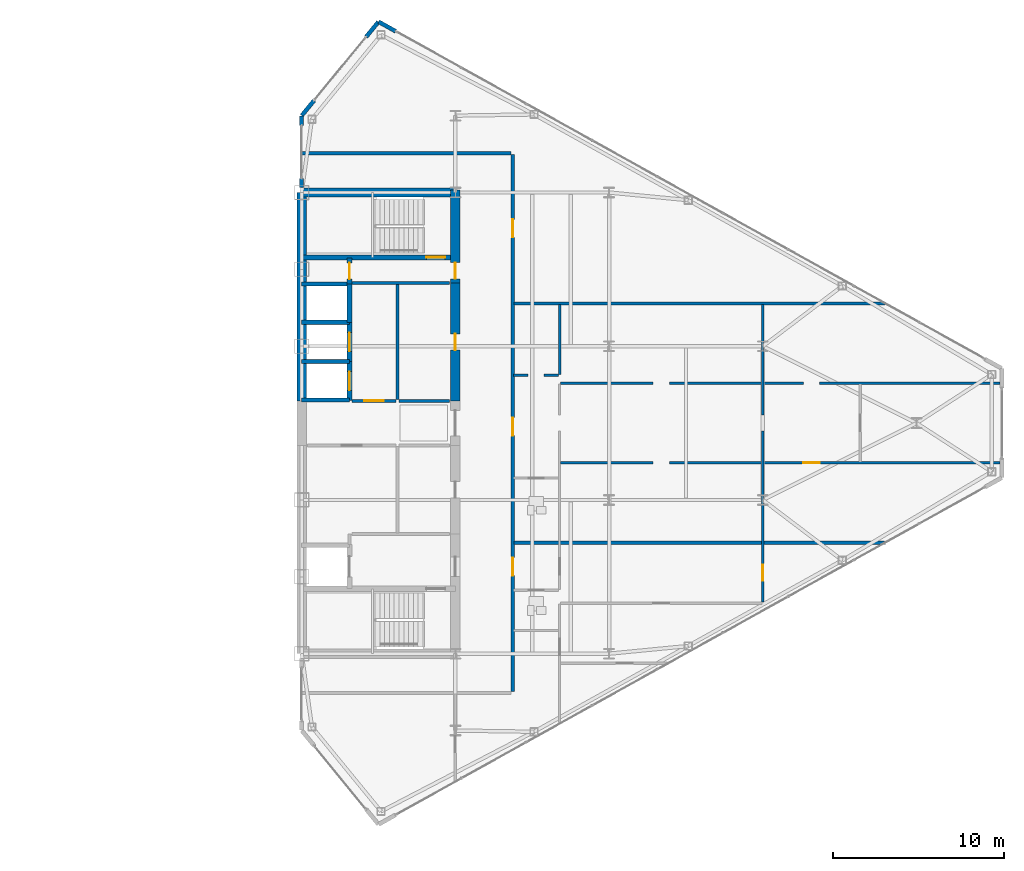
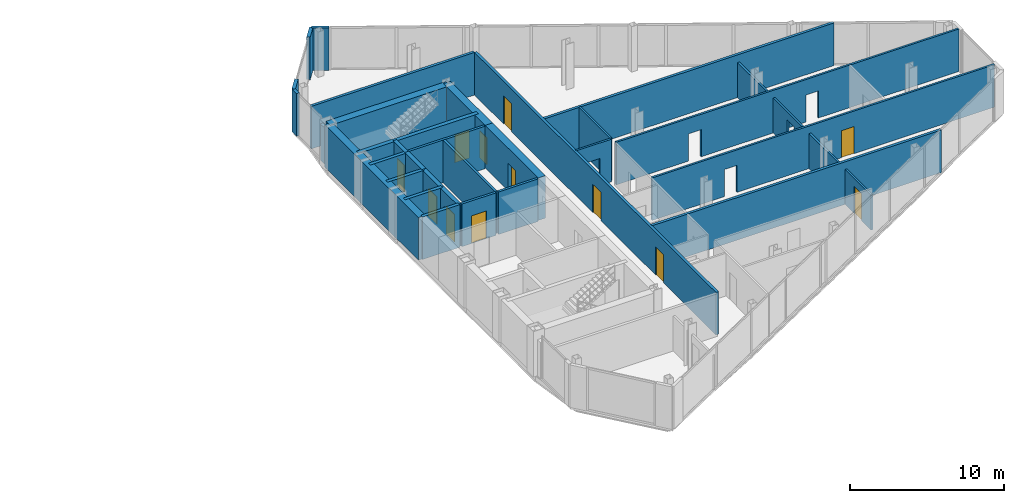
# One storey, part 22 of 26: 31 walls, 12 doors, 17 openings.
"""IFC4 building model written with IfcOpenShell, lengths in metres."""

from ifc_helpers import new_model, si_unit, direction, frame, frame_2d, origin, place, context, subcontext, project, spatial, rectangle, extrude, source, transform, mapped, material, layer, layer_set, type_object, type_shapes, element, fill, save


model = new_model("IFC4")

# Units and contexts
model_context = context("Model", 3, precision=1e-05, world=origin(), true_north=direction((0.0, 1.0)))
body_context = subcontext(model_context, "Body", "Model", "MODEL_VIEW")
ifc_project = project(units=[si_unit("LENGTHUNIT", "METRE"), si_unit("AREAUNIT", "SQUARE_METRE"), si_unit("VOLUMEUNIT", "CUBIC_METRE"), si_unit("PLANEANGLEUNIT", "RADIAN"), si_unit("MASSUNIT", "GRAM", prefix="KILO")], contexts=[model_context])

# Site, building, storey
site_placement = place(None, origin())
site = spatial("IfcSite", under=ifc_project, at=site_placement, CompositionType="ELEMENT")
building_placement = place(site_placement, origin())
building = spatial("IfcBuilding", under=site, at=building_placement, Name="Seokmaru Belvedere", CompositionType="ELEMENT")
storey_placement = place(building_placement, frame((0.0, 0.0, 174.300048828125)))
storey = spatial("IfcBuildingStorey", under=building, at=storey_placement, Name="L46", CompositionType="ELEMENT", Elevation=174.300048828125)

# Wall, openings, door
ifc_material_1 = material(Name="Fire-Rated Gypsum Shaftwall")
ifc_layer_1 = layer(ifc_material_1, 0.14990234375)
ifc_layer_set_1 = layer_set([ifc_layer_1], Name="Fire-Rated Gypsum Shaftwall")
wall_type_1 = type_object("IfcWallType", Name="Apartment Fire-Acoustic Room Partition 150", PredefinedType="PARTITIONING", material=ifc_layer_set_1)
wall_1_placement = place(storey_placement, frame((42.64990234375, -2.330078125, 0.0), z_axis=(0.0, 0.0, 1.0), x_axis=(1.0, 0.0, 0.0)))
wall_1 = element("IfcWall", 1, at=wall_1_placement, inside=storey, type_object=wall_type_1, Name="L46 Interior Partition 012", PredefinedType="PARTITIONING", context=body_context, shape_type="SweptSolid", body=[
    extrude(rectangle(XDim=25.72509765625, YDim=0.14990234375, at=frame_2d((12.862548828125, 0.0))), origin(), (0.0, 0.0, 1.0), 3.3798828125),
])
opening_1_placement = place(wall_1_placement, frame((5.425048828125, 0.0, 0.0)))
element("IfcOpeningElement", 2, at=opening_1_placement, cuts=wall_1, Name="L46 Cased Opening 027", PredefinedType="OPENING", context=body_context, shape_type="SweptSolid", body=[
    extrude(rectangle(XDim=0.949951171875, YDim=2.14990234375, at=frame_2d((0.47509765625, 1.074951171875))), frame((0.0, 0.0849609375, 0.0), z_axis=(0.0, -1.0, 0.0), x_axis=(1.0, 0.0, 0.0)), (0.0, 0.0, 1.0), 0.169921875),
])
opening_2_placement = place(wall_1_placement, frame((14.22509765625, 0.0, 0.0)))
opening_2 = element("IfcOpeningElement", 3, at=opening_2_placement, cuts=wall_1, Name="Opening D05", PredefinedType="OPENING", context=body_context, shape_type="SweptSolid", body=[
    extrude(rectangle(XDim=0.949951171875, YDim=2.14990234375, at=frame_2d((0.47509765625, 1.074951171875))), frame((0.0, 0.0849609375, 0.0), z_axis=(0.0, -1.0, 0.0), x_axis=(1.0, 0.0, 0.0)), (0.0, 0.0, 1.0), 0.169921875),
])
ifc_material_2 = material(Name="Engineered White Oak Timber", Category="wood")
door_type_1 = type_object("IfcDoorType", Name="Apartment Interior Fire-Rated Oak Door 950x2150", OperationType="NOTDEFINED", PredefinedType="DOOR", material=ifc_material_2)
shared_shape_1 = source(origin(), body_context, "Body", "SweptSolid", [
    extrude(rectangle(XDim=0.949951171875, YDim=2.14990234375, at=frame_2d((0.47509765625, 1.074951171875))), frame((0.0, 0.02490234375, 0.0), z_axis=(0.0, -1.0, 0.0), x_axis=(1.0, 0.0, 0.0)), (0.0, 0.0, 1.0), 0.050048828125),
])
type_shapes(door_type_1, [shared_shape_1])
door_1_placement = place(opening_2_placement, origin())
door_1 = element("IfcDoor", 4, at=door_1_placement, inside=storey, type_object=door_type_1, Name="L46 Interior Door 029", OperationType="SINGLE_SWING_RIGHT", OverallHeight=2.14990234375, OverallWidth=0.949951171875, PredefinedType="DOOR", context=body_context, shape_type="MappedRepresentation", body=[
    mapped(shared_shape_1, transform((0.0, 0.0, 0.0), scale=1.0)),
])
fill(opening_2, door_1)

# Wall, openings
wall_2_placement = place(storey_placement, frame((42.64990234375, 2.330078125, 0.0), z_axis=(0.0, 0.0, 1.0), x_axis=(1.0, 0.0, 0.0)))
wall_2 = element("IfcWall", 5, at=wall_2_placement, inside=storey, type_object=wall_type_1, Name="L46 Interior Partition 015", PredefinedType="PARTITIONING", context=body_context, shape_type="SweptSolid", body=[
    extrude(rectangle(XDim=25.72509765625, YDim=0.14990234375, at=frame_2d((12.862548828125, 0.0))), origin(), (0.0, 0.0, 1.0), 3.3798828125),
])
opening_3_placement = place(wall_2_placement, frame((5.425048828125, 0.0, 0.0)))
element("IfcOpeningElement", 6, at=opening_3_placement, cuts=wall_2, Name="L46 Cased Opening 028", PredefinedType="OPENING", context=body_context, shape_type="SweptSolid", body=[
    extrude(rectangle(XDim=0.949951171875, YDim=2.14990234375, at=frame_2d((0.47509765625, 1.074951171875))), frame((0.0, 0.0849609375, 0.0), z_axis=(0.0, -1.0, 0.0), x_axis=(1.0, 0.0, 0.0)), (0.0, 0.0, 1.0), 0.169921875),
])
opening_4_placement = place(wall_2_placement, frame((14.22509765625, 0.0, 0.0)))
element("IfcOpeningElement", 7, at=opening_4_placement, cuts=wall_2, Name="L46 Cased Opening 031", PredefinedType="OPENING", context=body_context, shape_type="SweptSolid", body=[
    extrude(rectangle(XDim=0.949951171875, YDim=2.14990234375, at=frame_2d((0.47509765625, 1.074951171875))), frame((0.0, 0.0849609375, 0.0), z_axis=(0.0, -1.0, 0.0), x_axis=(1.0, 0.0, 0.0)), (0.0, 0.0, 1.0), 0.169921875),
])

# Wall, opening
wall_3_placement = place(storey_placement, frame((39.89990234375, 2.800048828125, 0.0), z_axis=(0.0, 0.0, 1.0), x_axis=(1.0, 0.0, 0.0)))
wall_3 = element("IfcWall", 8, at=wall_3_placement, inside=storey, type_object=wall_type_1, Name="L46 Interior Partition 016", PredefinedType="PARTITIONING", context=body_context, shape_type="SweptSolid", body=[
    extrude(rectangle(XDim=2.650146484375, YDim=0.14990234375, at=frame_2d((1.3251953125, 0.0))), origin(), (0.0, 0.0, 1.0), 3.3798828125),
])
opening_5_placement = place(wall_3_placement, frame((0.85009765625, 0.0, 0.0)))
element("IfcOpeningElement", 9, at=opening_5_placement, cuts=wall_3, Name="L46 Cased Opening 024", PredefinedType="OPENING", context=body_context, shape_type="SweptSolid", body=[
    extrude(rectangle(XDim=0.949951171875, YDim=2.14990234375, at=frame_2d((0.47509765625, 1.074951171875))), frame((0.0, 0.0849609375, 0.0), z_axis=(0.0, -1.0, 0.0), x_axis=(1.0, 0.0, 0.0)), (0.0, 0.0, 1.0), 0.169921875),
])

# Wall
wall_4_placement = place(storey_placement, frame((42.60009765625, 2.85205078125, 0.0), z_axis=(0.0, 0.0, 1.0), x_axis=(0.0, 1.0, 0.0)))
element("IfcWall", 10, at=wall_4_placement, inside=storey, type_object=wall_type_1, Name="L46 Interior Partition 030", PredefinedType="PARTITIONING", context=body_context, shape_type="SweptSolid", body=[
    extrude(rectangle(XDim=4.097900390625, YDim=0.14990234375, at=frame_2d((2.048828125, 0.0))), origin(), (0.0, 0.0, 1.0), 3.3798828125),
])

# Wall, openings, door
wall_5_placement = place(storey_placement, frame((54.5, -10.485107421875, 0.0), z_axis=(0.0, 0.0, 1.0), x_axis=(0.0, 1.0, 0.0)))
wall_5 = element("IfcWall", 11, at=wall_5_placement, inside=storey, type_object=wall_type_1, Name="L46 Interior Partition 031", PredefinedType="PARTITIONING", context=body_context, shape_type="SweptSolid", body=[
    extrude(rectangle(XDim=17.43505859375, YDim=0.14990234375, at=frame_2d((8.717529296875, 0.0))), origin(), (0.0, 0.0, 1.0), 2.780029296875),
])
opening_6_placement = place(wall_5_placement, frame((1.242431640625, 0.0, 0.0)))
opening_6 = element("IfcOpeningElement", 12, at=opening_6_placement, cuts=wall_5, Name="Opening D05", PredefinedType="OPENING", context=body_context, shape_type="SweptSolid", body=[
    extrude(rectangle(XDim=0.949951171875, YDim=2.14990234375, at=frame_2d((0.47509765625, 1.074951171875))), frame((0.0, 0.0849609375, 0.0), z_axis=(0.0, -1.0, 0.0), x_axis=(1.0, 0.0, 0.0)), (0.0, 0.0, 1.0), 0.169921875),
])
opening_7_placement = place(wall_5_placement, frame((10.010009765625, 0.0, 0.0)))
element("IfcOpeningElement", 13, at=opening_7_placement, cuts=wall_5, Name="L46 Cased Opening 026", PredefinedType="OPENING", context=body_context, shape_type="SweptSolid", body=[
    extrude(rectangle(XDim=0.949951171875, YDim=2.14990234375, at=frame_2d((0.47509765625, 1.074951171875))), frame((0.0, 0.0849609375, 0.0), z_axis=(0.0, -1.0, 0.0), x_axis=(1.0, 0.0, 0.0)), (0.0, 0.0, 1.0), 0.169921875),
])
door_2_placement = place(opening_6_placement, origin())
door_2 = element("IfcDoor", 14, at=door_2_placement, inside=storey, type_object=door_type_1, Name="L46 Interior Door 017", OperationType="SINGLE_SWING_LEFT", OverallHeight=2.14990234375, OverallWidth=0.949951171875, PredefinedType="DOOR", context=body_context, shape_type="MappedRepresentation", body=[
    mapped(shared_shape_1, transform((0.0, 0.0, 0.0), scale=1.0)),
])
fill(opening_6, door_2)

# Walls
ifc_layer_2 = layer(ifc_material_1, 0.179931640625)
ifc_layer_set_2 = layer_set([ifc_layer_2], Name="Fire-Rated Gypsum Shaftwall")
wall_type_2 = type_object("IfcWallType", Name="Core Service Fire Partition 180", PredefinedType="PARTITIONING", material=ifc_layer_set_2)
wall_6_placement = place(storey_placement, frame((30.449951171875, 8.199951171875, 0.0), z_axis=(0.0, 0.0, 1.0), x_axis=(1.0, 0.0, 0.0)))
element("IfcWall", 15, at=wall_6_placement, inside=storey, type_object=wall_type_2, Name="L46 East Smokeproof Vestibule Partition", PredefinedType="PARTITIONING", context=body_context, shape_type="SweptSolid", body=[
    extrude(rectangle(XDim=5.699951171875, YDim=0.179931640625, at=frame_2d((2.85009765625, 0.0))), origin(), (0.0, 0.0, 1.0), 3.3798828125),
])
wall_7_placement = place(storey_placement, frame((33.10009765625, 1.3798828125, 0.0), z_axis=(0.0, 0.0, 1.0), x_axis=(0.0, 1.0, 0.0)))
element("IfcWall", 16, at=wall_7_placement, inside=storey, type_object=wall_type_2, Name="L46 East North Core Service Back Wall", PredefinedType="PARTITIONING", context=body_context, shape_type="SweptSolid", body=[
    extrude(rectangle(XDim=6.740234375, YDim=0.179931640625, at=frame_2d((3.3701171875, 0.0))), origin(), (0.0, 0.0, 1.0), 3.3798828125),
])

# Wall, opening, door
wall_8_placement = place(storey_placement, frame((30.449951171875, 1.300048828125, 0.0), z_axis=(0.0, 0.0, 1.0), x_axis=(1.0, 0.0, 0.0)))
wall_8 = element("IfcWall", 17, at=wall_8_placement, inside=storey, type_object=wall_type_2, Name="L46 East North Lift Lobby Foyer Wall", PredefinedType="PARTITIONING", context=body_context, shape_type="SweptSolid", body=[
    extrude(rectangle(XDim=2.570068359375, YDim=0.179931640625, at=frame_2d((1.28515625, 0.0))), origin(), (0.0, 0.0, 1.0), 3.3798828125),
])
opening_8_placement = place(wall_8_placement, frame((0.7099609375, 0.0, 0.0)))
opening_8 = element("IfcOpeningElement", 18, at=opening_8_placement, cuts=wall_8, Name="Opening D02", PredefinedType="OPENING", context=body_context, shape_type="SweptSolid", body=[
    extrude(rectangle(XDim=1.14990234375, YDim=2.199951171875, at=frame_2d((0.574951171875, 1.10009765625))), frame((0.0, 0.10009765625, 0.0), z_axis=(0.0, -1.0, 0.0), x_axis=(1.0, 0.0, 0.0)), (0.0, 0.0, 1.0), 0.199951171875),
])
ifc_material_3 = material(Name="Fire-Rated Steel Leaf", Category="steel")
door_type_2 = type_object("IfcDoorType", Name="Lobby and Vestibule Fire Door 1150x2200", OperationType="NOTDEFINED", PredefinedType="DOOR", material=ifc_material_3)
shared_shape_2 = source(origin(), body_context, "Body", "SweptSolid", [
    extrude(rectangle(XDim=1.14990234375, YDim=2.199951171875, at=frame_2d((0.574951171875, 1.10009765625))), frame((0.0, 0.02490234375, 0.0), z_axis=(0.0, -1.0, 0.0), x_axis=(1.0, 0.0, 0.0)), (0.0, 0.0, 1.0), 0.050048828125),
])
type_shapes(door_type_2, [shared_shape_2])
door_3_placement = place(opening_8_placement, origin())
door_3 = element("IfcDoor", 19, at=door_3_placement, inside=storey, type_object=door_type_2, Name="L46 East North Lift Lobby Door", OperationType="SINGLE_SWING_LEFT", OverallHeight=2.199951171875, OverallWidth=1.14990234375, PredefinedType="DOOR", context=body_context, shape_type="MappedRepresentation", body=[
    mapped(shared_shape_2, transform((0.0, 0.0, 0.0), scale=1.0)),
])
fill(opening_8, door_3)

# Walls
wall_9_placement = place(storey_placement, frame((33.199951171875, 1.300048828125, 0.0), z_axis=(0.0, 0.0, 1.0), x_axis=(1.0, 0.0, 0.0)))
element("IfcWall", 20, at=wall_9_placement, inside=storey, type_object=wall_type_2, Name="L46 East Foyer Side Wall N", PredefinedType="PARTITIONING", context=body_context, shape_type="SweptSolid", body=[
    extrude(rectangle(XDim=2.949951171875, YDim=0.179931640625, at=frame_2d((1.47509765625, 0.0))), origin(), (0.0, 0.0, 1.0), 3.3798828125),
])
ifc_material_4 = material(Name="Concrete C50 (50 MPa)", Category="concrete")
ifc_layer_3 = layer(ifc_material_4, 0.25)
ifc_layer_set_3 = layer_set([ifc_layer_3], Name="Concrete C50 (50 MPa)")
wall_type_3 = type_object("IfcWallType", Name="Hoistway Transverse Concrete Divider Wall 250", PredefinedType="SHEAR", material=ifc_layer_set_3)
for number, where, z_axis, x_axis, name in (
    (21, (27.5, 1.35009765625, 0.0), (0.0, 0.0, 1.0), (1.0, 0.0, 0.0), "L46 East Hoistway Divider Core Wall 2"),
    (22, (27.5, 3.60009765625, 0.0), (0.0, 0.0, 1.0), (1.0, 0.0, 0.0), "L46 East Hoistway Divider Core Wall 3"),
    (23, (27.5, 5.89990234375, 0.0), (0.0, 0.0, 1.0), (1.0, 0.0, 0.0), "L46 East Hoistway Divider Core Wall 4"),
    (24, (27.5, 8.14990234375, 0.0), (0.0, 0.0, 1.0), (1.0, 0.0, 0.0), "L46 East Hoistway Divider Core Wall 5"),
):
    element("IfcWall", number, at=place(storey_placement, frame(where, z_axis=z_axis, x_axis=x_axis)), inside=storey, type_object=wall_type_3, Name=name, PredefinedType="SHEAR", context=body_context, shape_type="SweptSolid", body=[
        extrude(rectangle(XDim=2.800048828125, YDim=0.25, at=frame_2d((1.39990234375, 0.0))), origin(), (0.0, 0.0, 1.0), 3.3798828125),
    ])
ifc_layer_4 = layer(ifc_material_1, 0.199951171875)
ifc_layer_set_4 = layer_set([ifc_layer_4], Name="Fire-Rated Gypsum Shaftwall")
wall_type_4 = type_object("IfcWallType", Name="Inter-Tenancy Fire Compartment Partition 200", PredefinedType="PARTITIONING", material=ifc_layer_set_4)
for number, where, z_axis, x_axis, name in (
    (25, (39.929931640625, -7.0, 0.0), (0.0, 0.0, 1.0), (1.0, 0.0, 0.0), "L46 Interior Partition 008"),
    (26, (39.929931640625, 7.0, 0.0), (0.0, 0.0, 1.0), (1.0, 0.0, 0.0), "L46 Interior Partition 018"),
):
    element("IfcWall", number, at=place(storey_placement, frame(where, z_axis=z_axis, x_axis=x_axis)), inside=storey, type_object=wall_type_4, Name=name, PredefinedType="PARTITIONING", context=body_context, shape_type="SweptSolid", body=[
        extrude(rectangle(XDim=21.748046875, YDim=0.199951171875, at=frame_2d((10.8740234375, 0.0))), origin(), (0.0, 0.0, 1.0), 3.3798828125),
    ])
wall_10_placement = place(storey_placement, frame((27.5, 15.800048828125, 0.0), z_axis=(0.0, 0.0, 1.0), x_axis=(1.0, 0.0, 0.0)))
element("IfcWall", 27, at=wall_10_placement, inside=storey, type_object=wall_type_4, Name="L46 Interior Partition 020", PredefinedType="PARTITIONING", context=body_context, shape_type="SweptSolid", body=[
    extrude(rectangle(XDim=12.264892578125, YDim=0.199951171875, at=frame_2d((6.13232421875, 0.0))), origin(), (0.0, 0.0, 1.0), 3.3798828125),
])

# Wall, openings, doors
wall_11_placement = place(storey_placement, frame((39.85009765625, -15.715087890625, 0.0), z_axis=(0.0, 0.0, 1.0), x_axis=(0.0, 1.0, 0.0)))
wall_11 = element("IfcWall", 28, at=wall_11_placement, inside=storey, type_object=wall_type_4, Name="L46 Interior Partition 027", PredefinedType="PARTITIONING", context=body_context, shape_type="SweptSolid", body=[
    extrude(rectangle(XDim=31.43017578125, YDim=0.199951171875, at=frame_2d((15.715087890625, 0.0))), origin(), (0.0, 0.0, 1.0), 3.3798828125),
])
opening_9_placement = place(wall_11_placement, frame((6.79248046875, 0.0, 0.0)))
opening_9 = element("IfcOpeningElement", 29, at=opening_9_placement, cuts=wall_11, Name="Opening D03", PredefinedType="OPENING", context=body_context, shape_type="SweptSolid", body=[
    extrude(rectangle(XDim=1.050048828125, YDim=2.25, at=frame_2d((0.52490234375, 1.125))), frame((0.0, 0.10986328125, 0.0), z_axis=(0.0, -1.0, 0.0), x_axis=(1.0, 0.0, 0.0)), (0.0, 0.0, 1.0), 0.219970703125),
])
opening_10_placement = place(wall_11_placement, frame((14.97998046875, 0.0, 0.0)))
opening_10 = element("IfcOpeningElement", 30, at=opening_10_placement, cuts=wall_11, Name="Opening D03", PredefinedType="OPENING", context=body_context, shape_type="SweptSolid", body=[
    extrude(rectangle(XDim=1.050048828125, YDim=2.25, at=frame_2d((0.52490234375, 1.125))), frame((0.0, 0.10986328125, 0.0), z_axis=(0.0, -1.0, 0.0), x_axis=(1.0, 0.0, 0.0)), (0.0, 0.0, 1.0), 0.219970703125),
])
opening_11_placement = place(wall_11_placement, frame((26.590087890625, 0.0, 0.0)))
opening_11 = element("IfcOpeningElement", 31, at=opening_11_placement, cuts=wall_11, Name="Opening D03", PredefinedType="OPENING", context=body_context, shape_type="SweptSolid", body=[
    extrude(rectangle(XDim=1.050048828125, YDim=2.25, at=frame_2d((0.52490234375, 1.125))), frame((0.0, 0.10986328125, 0.0), z_axis=(0.0, -1.0, 0.0), x_axis=(1.0, 0.0, 0.0)), (0.0, 0.0, 1.0), 0.219970703125),
])
door_type_3 = type_object("IfcDoorType", Name="Apartment Entrance Fire Door 1050x2250", OperationType="NOTDEFINED", PredefinedType="DOOR", material=ifc_material_3)
shared_shape_3 = source(origin(), body_context, "Body", "SweptSolid", [
    extrude(rectangle(XDim=1.050048828125, YDim=2.25, at=frame_2d((0.52490234375, 1.125))), frame((0.0, 0.02490234375, 0.0), z_axis=(0.0, -1.0, 0.0), x_axis=(1.0, 0.0, 0.0)), (0.0, 0.0, 1.0), 0.050048828125),
])
type_shapes(door_type_3, [shared_shape_3])
door_4_placement = place(opening_9_placement, origin())
door_4 = element("IfcDoor", 32, at=door_4_placement, inside=storey, type_object=door_type_3, Name="L46 Interior Door 014", OperationType="SINGLE_SWING_LEFT", OverallHeight=2.25, OverallWidth=1.050048828125, PredefinedType="DOOR", context=body_context, shape_type="MappedRepresentation", body=[
    mapped(shared_shape_3, transform((0.0, 0.0, 0.0), scale=1.0)),
])
fill(opening_9, door_4)
door_5_placement = place(opening_10_placement, origin())
door_5 = element("IfcDoor", 33, at=door_5_placement, inside=storey, type_object=door_type_3, Name="L46 Interior Door 022", OperationType="SINGLE_SWING_RIGHT", OverallHeight=2.25, OverallWidth=1.050048828125, PredefinedType="DOOR", context=body_context, shape_type="MappedRepresentation", body=[
    mapped(shared_shape_3, transform((0.0, 0.0, 0.0), scale=1.0)),
])
fill(opening_10, door_5)
door_6_placement = place(opening_11_placement, origin())
door_6 = element("IfcDoor", 34, at=door_6_placement, inside=storey, type_object=door_type_3, Name="L46 Interior Door 032", OperationType="SINGLE_SWING_LEFT", OverallHeight=2.25, OverallWidth=1.050048828125, PredefinedType="DOOR", context=body_context, shape_type="MappedRepresentation", body=[
    mapped(shared_shape_3, transform((0.0, 0.0, 0.0), scale=1.0)),
])
fill(opening_11, door_6)

# Wall, opening, door
ifc_layer_5 = layer(ifc_material_4, 0.300048828125)
ifc_layer_set_5 = layer_set([ifc_layer_5], Name="Concrete C50 (50 MPa)")
wall_type_5 = type_object("IfcWallType", Name="Internal Core Stair and Hoistway Wall 300", PredefinedType="SHEAR", material=ifc_layer_set_5)
wall_12_placement = place(storey_placement, frame((27.5, 9.699951171875, 0.0), z_axis=(0.0, 0.0, 1.0), x_axis=(1.0, 0.0, 0.0)))
wall_12 = element("IfcWall", 35, at=wall_12_placement, inside=storey, type_object=wall_type_5, Name="L46 East Stair ST-2 Enclosure Wall", PredefinedType="SHEAR", context=body_context, shape_type="SweptSolid", body=[
    extrude(rectangle(XDim=9.0, YDim=0.300048828125, at=frame_2d((4.5, 0.0))), origin(), (0.0, 0.0, 1.0), 3.3798828125),
])
opening_12_placement = place(wall_12_placement, frame((7.300048828125, 0.0, 0.0)))
opening_12 = element("IfcOpeningElement", 36, at=opening_12_placement, cuts=wall_12, Name="Opening D01", PredefinedType="OPENING", context=body_context, shape_type="SweptSolid", body=[
    extrude(rectangle(XDim=1.10009765625, YDim=2.199951171875, at=frame_2d((0.550048828125, 1.10009765625))), frame((0.0, 0.16015625, 0.0), z_axis=(0.0, -1.0, 0.0), x_axis=(1.0, 0.0, 0.0)), (0.0, 0.0, 1.0), 0.320068359375),
])
door_type_4 = type_object("IfcDoorType", Name="Special Escape Stair Smokeproof Fire Door 1100x2200", OperationType="NOTDEFINED", PredefinedType="DOOR", material=ifc_material_3)
shared_shape_4 = source(origin(), body_context, "Body", "SweptSolid", [
    extrude(rectangle(XDim=1.10009765625, YDim=2.199951171875, at=frame_2d((0.550048828125, 1.10009765625))), frame((0.0, 0.02490234375, 0.0), z_axis=(0.0, -1.0, 0.0), x_axis=(1.0, 0.0, 0.0)), (0.0, 0.0, 1.0), 0.050048828125),
])
type_shapes(door_type_4, [shared_shape_4])
door_7_placement = place(opening_12_placement, origin())
door_7 = element("IfcDoor", 37, at=door_7_placement, inside=storey, type_object=door_type_4, Name="L46 East Special Escape Stair ST-2 Door", OperationType="SINGLE_SWING_LEFT", OverallHeight=2.199951171875, OverallWidth=1.10009765625, PredefinedType="DOOR", context=body_context, shape_type="MappedRepresentation", body=[
    mapped(shared_shape_4, transform((0.0, 0.0, 0.0), scale=1.0)),
])
fill(opening_12, door_7)

wall_13_placement = place(storey_placement, frame((30.300048828125, 1.320068359375, 0.0), z_axis=(0.0, 0.0, 1.0), x_axis=(0.0, 1.0, 0.0)))
wall_13 = element("IfcWall", 38, at=wall_13_placement, inside=storey, type_object=wall_type_5, Name="L46 East North Hoistway Wall PH1", PredefinedType="SHEAR", context=body_context, shape_type="SweptSolid", body=[
    extrude(rectangle(XDim=2.280029296875, YDim=0.300048828125, at=frame_2d((1.14013671875, 0.0))), origin(), (0.0, 0.0, 1.0), 3.3798828125),
])
opening_13_placement = place(wall_13_placement, frame((0.590087890625, 0.0, 0.0)))
opening_13 = element("IfcOpeningElement", 39, at=opening_13_placement, cuts=wall_13, Name="Opening LD1", PredefinedType="OPENING", context=body_context, shape_type="SweptSolid", body=[
    extrude(rectangle(XDim=1.10009765625, YDim=2.199951171875, at=frame_2d((0.550048828125, 1.10009765625))), frame((0.0, 0.16015625, 0.0), z_axis=(0.0, -1.0, 0.0), x_axis=(1.0, 0.0, 0.0)), (0.0, 0.0, 1.0), 0.320068359375),
])
ifc_material_5 = material(Name="Stainless Steel 316", Category="steel")
door_type_5 = type_object("IfcDoorType", Name="Passenger Lift Sliding Landing Door 1100x2200", OperationType="DOUBLE_DOOR_SLIDING", PredefinedType="DOOR", material=ifc_material_5)
shared_shape_5 = source(origin(), body_context, "Body", "SweptSolid", [
    extrude(rectangle(XDim=1.10009765625, YDim=2.199951171875, at=frame_2d((0.550048828125, 1.10009765625))), frame((0.0, 0.02490234375, 0.0), z_axis=(0.0, -1.0, 0.0), x_axis=(1.0, 0.0, 0.0)), (0.0, 0.0, 1.0), 0.050048828125),
])
type_shapes(door_type_5, [shared_shape_5])
door_8_placement = place(opening_13_placement, origin())
door_8 = element("IfcDoor", 40, at=door_8_placement, inside=storey, type_object=door_type_5, Name="L46 East High-Rise Lift PH-1 Landing Door", OperationType="DOUBLE_DOOR_SLIDING", OverallHeight=2.199951171875, OverallWidth=1.10009765625, PredefinedType="DOOR", context=body_context, shape_type="MappedRepresentation", body=[
    mapped(shared_shape_5, transform((0.0, 0.0, 0.0), scale=1.0)),
])
fill(opening_13, door_8)

wall_14_placement = place(storey_placement, frame((30.300048828125, 3.60009765625, 0.0), z_axis=(0.0, 0.0, 1.0), x_axis=(0.0, 1.0, 0.0)))
wall_14 = element("IfcWall", 41, at=wall_14_placement, inside=storey, type_object=wall_type_5, Name="L46 East North Hoistway Wall PH2", PredefinedType="SHEAR", context=body_context, shape_type="SweptSolid", body=[
    extrude(rectangle(XDim=2.2998046875, YDim=0.300048828125, at=frame_2d((1.14990234375, 0.0))), origin(), (0.0, 0.0, 1.0), 3.3798828125),
])
opening_14_placement = place(wall_14_placement, frame((0.60009765625, 0.0, 0.0)))
opening_14 = element("IfcOpeningElement", 42, at=opening_14_placement, cuts=wall_14, Name="Opening LD1", PredefinedType="OPENING", context=body_context, shape_type="SweptSolid", body=[
    extrude(rectangle(XDim=1.10009765625, YDim=2.199951171875, at=frame_2d((0.550048828125, 1.10009765625))), frame((0.0, 0.16015625, 0.0), z_axis=(0.0, -1.0, 0.0), x_axis=(1.0, 0.0, 0.0)), (0.0, 0.0, 1.0), 0.320068359375),
])
door_9_placement = place(opening_14_placement, origin())
door_9 = element("IfcDoor", 43, at=door_9_placement, inside=storey, type_object=door_type_5, Name="L46 East High-Rise Lift PH-2 Landing Door", OperationType="DOUBLE_DOOR_SLIDING", OverallHeight=2.199951171875, OverallWidth=1.10009765625, PredefinedType="DOOR", context=body_context, shape_type="MappedRepresentation", body=[
    mapped(shared_shape_5, transform((0.0, 0.0, 0.0), scale=1.0)),
])
fill(opening_14, door_9)

# Wall
wall_15_placement = place(storey_placement, frame((30.300048828125, 5.89990234375, 0.0), z_axis=(0.0, 0.0, 1.0), x_axis=(0.0, 1.0, 0.0)))
element("IfcWall", 44, at=wall_15_placement, inside=storey, type_object=wall_type_5, Name="L46 East North Hoistway Wall OBS", PredefinedType="SHEAR", context=body_context, shape_type="SweptSolid", body=[
    extrude(rectangle(XDim=2.25, YDim=0.300048828125, at=frame_2d((1.125, 0.0))), origin(), (0.0, 0.0, 1.0), 3.3798828125),
])

# Wall, opening, door
wall_16_placement = place(storey_placement, frame((30.300048828125, 8.14990234375, 0.0), z_axis=(0.0, 0.0, 1.0), x_axis=(0.0, 1.0, 0.0)))
wall_16 = element("IfcWall", 45, at=wall_16_placement, inside=storey, type_object=wall_type_5, Name="L46 East Electrical Riser Front Wall", PredefinedType="SHEAR", context=body_context, shape_type="SweptSolid", body=[
    extrude(rectangle(XDim=1.530029296875, YDim=0.300048828125, at=frame_2d((0.76513671875, 0.0))), origin(), (0.0, 0.0, 1.0), 3.3798828125),
])
opening_15_placement = place(wall_16_placement, frame((0.284912109375, 0.0, 0.0)))
opening_15 = element("IfcOpeningElement", 46, at=opening_15_placement, cuts=wall_16, Name="Opening D04", PredefinedType="OPENING", context=body_context, shape_type="SweptSolid", body=[
    extrude(rectangle(XDim=0.949951171875, YDim=2.14990234375, at=frame_2d((0.47509765625, 1.074951171875))), frame((0.0, 0.16015625, 0.0), z_axis=(0.0, -1.0, 0.0), x_axis=(1.0, 0.0, 0.0)), (0.0, 0.0, 1.0), 0.320068359375),
])
door_type_6 = type_object("IfcDoorType", Name="Core Service Room Fire Door 950x2150", OperationType="NOTDEFINED", PredefinedType="DOOR", material=ifc_material_3)
shared_shape_6 = source(origin(), body_context, "Body", "SweptSolid", [
    extrude(rectangle(XDim=0.949951171875, YDim=2.14990234375, at=frame_2d((0.47509765625, 1.074951171875))), frame((0.0, 0.02490234375, 0.0), z_axis=(0.0, -1.0, 0.0), x_axis=(1.0, 0.0, 0.0)), (0.0, 0.0, 1.0), 0.050048828125),
])
type_shapes(door_type_6, [shared_shape_6])
door_10_placement = place(opening_15_placement, origin())
door_10 = element("IfcDoor", 47, at=door_10_placement, inside=storey, type_object=door_type_6, Name="L46 East Electrical Riser Access Door", OperationType="SINGLE_SWING_RIGHT", OverallHeight=2.14990234375, OverallWidth=0.949951171875, PredefinedType="DOOR", context=body_context, shape_type="MappedRepresentation", body=[
    mapped(shared_shape_6, transform((0.0, 0.0, 0.0), scale=1.0)),
])
fill(opening_15, door_10)

# Walls
ifc_layer_6 = layer(ifc_material_4, 0.550048828125)
ifc_layer_set_6 = layer_set([ifc_layer_6], Name="Concrete C50 (50 MPa)")
wall_type_6 = type_object("IfcWallType", Name="Mid-High Reinforced Concrete Core Wall 550", PredefinedType="SHEAR", material=ifc_layer_set_6)
wall_17_placement = place(storey_placement, frame((27.5, 1.300048828125, 0.0), z_axis=(0.0, 0.0, 1.0), x_axis=(0.0, 1.0, 0.0)))
element("IfcWall", 48, at=wall_17_placement, inside=storey, type_object=wall_type_6, Name="L46 East Portal Spine Core Wall North", PredefinedType="SHEAR", context=body_context, shape_type="SweptSolid", body=[
    extrude(rectangle(XDim=12.199951171875, YDim=0.550048828125, at=frame_2d((6.10009765625, 0.0))), origin(), (0.0, 0.0, 1.0), 3.3798828125),
])
wall_18_placement = place(storey_placement, frame((27.5, 13.5, 0.0), z_axis=(0.0, 0.0, 1.0), x_axis=(1.0, 0.0, 0.0)))
element("IfcWall", 49, at=wall_18_placement, inside=storey, type_object=wall_type_6, Name="L46 East North Core Wall", PredefinedType="SHEAR", context=body_context, shape_type="SweptSolid", body=[
    extrude(rectangle(XDim=9.0, YDim=0.550048828125, at=frame_2d((4.5, 0.0))), origin(), (0.0, 0.0, 1.0), 3.3798828125),
])

# Wall, opening, door
wall_19_placement = place(storey_placement, frame((36.5, 8.199951171875, 0.0), z_axis=(0.0, 0.0, 1.0), x_axis=(0.0, 1.0, 0.0)))
wall_19 = element("IfcWall", 50, at=wall_19_placement, inside=storey, type_object=wall_type_6, Name="L46 East West Core Wall VST", PredefinedType="SHEAR", context=body_context, shape_type="SweptSolid", body=[
    extrude(rectangle(XDim=5.449951171875, YDim=0.550048828125, at=frame_2d((2.72509765625, 0.0))), origin(), (0.0, 0.0, 1.0), 3.3798828125),
])
opening_16_placement = place(wall_19_placement, frame((0.2451171875, 0.0, 0.0)))
opening_16 = element("IfcOpeningElement", 51, at=opening_16_placement, cuts=wall_19, Name="Opening D04", PredefinedType="OPENING", context=body_context, shape_type="SweptSolid", body=[
    extrude(rectangle(XDim=0.949951171875, YDim=2.14990234375, at=frame_2d((0.47509765625, 1.074951171875))), frame((0.0, 0.28515625, 0.0), z_axis=(0.0, -1.0, 0.0), x_axis=(1.0, 0.0, 0.0)), (0.0, 0.0, 1.0), 0.570068359375),
])
door_11_placement = place(opening_16_placement, origin())
door_11 = element("IfcDoor", 52, at=door_11_placement, inside=storey, type_object=door_type_6, Name="L46 East Smokeproof Vestibule Door", OperationType="SINGLE_SWING_LEFT", OverallHeight=2.14990234375, OverallWidth=0.949951171875, PredefinedType="DOOR", context=body_context, shape_type="MappedRepresentation", body=[
    mapped(shared_shape_6, transform((0.0, 0.0, 0.0), scale=1.0)),
])
fill(opening_16, door_11)

wall_20_placement = place(storey_placement, frame((36.5, 1.300048828125, 0.0), z_axis=(0.0, 0.0, 1.0), x_axis=(0.0, 1.0, 0.0)))
wall_20 = element("IfcWall", 53, at=wall_20_placement, inside=storey, type_object=wall_type_6, Name="L46 East West Core Wall CS2", PredefinedType="SHEAR", context=body_context, shape_type="SweptSolid", body=[
    extrude(rectangle(XDim=6.89990234375, YDim=0.550048828125, at=frame_2d((3.449951171875, 0.0))), origin(), (0.0, 0.0, 1.0), 3.3798828125),
])
opening_17_placement = place(wall_20_placement, frame((2.97509765625, 0.0, 0.0)))
opening_17 = element("IfcOpeningElement", 54, at=opening_17_placement, cuts=wall_20, Name="Opening D04", PredefinedType="OPENING", context=body_context, shape_type="SweptSolid", body=[
    extrude(rectangle(XDim=0.949951171875, YDim=2.14990234375, at=frame_2d((0.47509765625, 1.074951171875))), frame((0.0, 0.28515625, 0.0), z_axis=(0.0, -1.0, 0.0), x_axis=(1.0, 0.0, 0.0)), (0.0, 0.0, 1.0), 0.570068359375),
])
door_12_placement = place(opening_17_placement, origin())
door_12 = element("IfcDoor", 55, at=door_12_placement, inside=storey, type_object=door_type_6, Name="L46 East Core Service Room Door 2", OperationType="SINGLE_SWING_LEFT", OverallHeight=2.14990234375, OverallWidth=0.949951171875, PredefinedType="DOOR", context=body_context, shape_type="MappedRepresentation", body=[
    mapped(shared_shape_6, transform((0.0, 0.0, 0.0), scale=1.0)),
])
fill(opening_17, door_12)

# Walls
ifc_material_6 = material(Name="Anodised Bronze Aluminium", Category="aluminium")
ifc_layer_7 = layer(ifc_material_6, 0.239990234375)
ifc_layer_set_7 = layer_set([ifc_layer_7], Name="Anodised Bronze Aluminium")
wall_type_7 = type_object("IfcWallType", Name="Tower Corner Spandrel Closure Wall 240", PredefinedType="SOLIDWALL", material=ifc_layer_set_7)
wall_21_placement = place(storey_placement, frame((33.0048828125, 22.94091796875, 0.0), z_axis=(0.0, 0.0, 1.0), x_axis=(-0.87385402111, 0.486188389196, 0.0)))
element("IfcWall", 56, at=wall_21_placement, inside=storey, type_object=wall_type_7, Name="L46 E Corner Closure Pier 3B", PredefinedType="SOLIDWALL", context=body_context, shape_type="SweptSolid", body=[
    extrude(rectangle(XDim=1.139892578125, YDim=0.239990234375, at=frame_2d((0.56982421875, 0.0))), origin(), (0.0, 0.0, 1.0), 3.3798828125),
])
for number, where, z_axis, x_axis, name in (
    (57, (31.99365234375, 23.4921875, 0.0), (0.0, 0.0, 1.0), (-0.633249451965, -0.77394775766, 0.0), "L46 E Corner Closure Pier 4A"),
    (58, (28.228271484375, 18.89013671875, 0.0), (0.0, 0.0, 1.0), (-0.633249451965, -0.77394775766, 0.0), "L46 E Corner Closure Pier 4B"),
):
    element("IfcWall", number, at=place(storey_placement, frame(where, z_axis=z_axis, x_axis=x_axis)), inside=storey, type_object=wall_type_7, Name=name, PredefinedType="SOLIDWALL", context=body_context, shape_type="SweptSolid", body=[
        extrude(rectangle(XDim=1.14013671875, YDim=0.239990234375, at=frame_2d((0.570068359375, 0.0))), origin(), (0.0, 0.0, 1.0), 3.3798828125),
    ])
wall_22_placement = place(storey_placement, frame((27.5, 13.780029296875, 0.0), z_axis=(0.0, 0.0, 1.0), x_axis=(0.0, 1.0, 0.0)))
element("IfcWall", 59, at=wall_22_placement, inside=storey, type_object=wall_type_7, Name="L46 E Spine Closure Pier 2A", PredefinedType="SOLIDWALL", context=body_context, shape_type="SweptSolid", body=[
    extrude(rectangle(XDim=0.550048828125, YDim=0.239990234375, at=frame_2d((0.27490234375, 0.0))), origin(), (0.0, 0.0, 1.0), 2.8798828125),
])
wall_23_placement = place(storey_placement, frame((27.5, 17.429931640625, 0.0), z_axis=(0.0, 0.0, 1.0), x_axis=(0.0, 1.0, 0.0)))
element("IfcWall", 60, at=wall_23_placement, inside=storey, type_object=wall_type_7, Name="L46 E Spine Closure Pier 2B", PredefinedType="SOLIDWALL", context=body_context, shape_type="SweptSolid", body=[
    extrude(rectangle(XDim=0.550048828125, YDim=0.239990234375, at=frame_2d((0.27490234375, 0.0))), origin(), (0.0, 0.0, 1.0), 3.3798828125),
])

save(model, "model.ifc")
